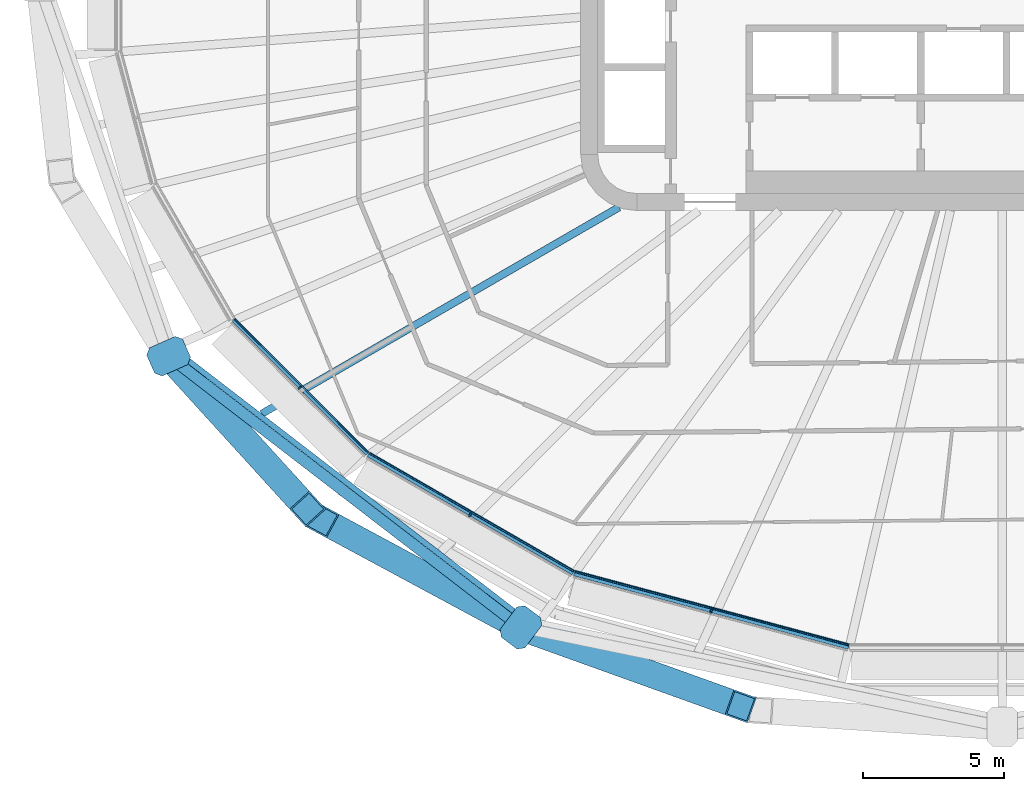
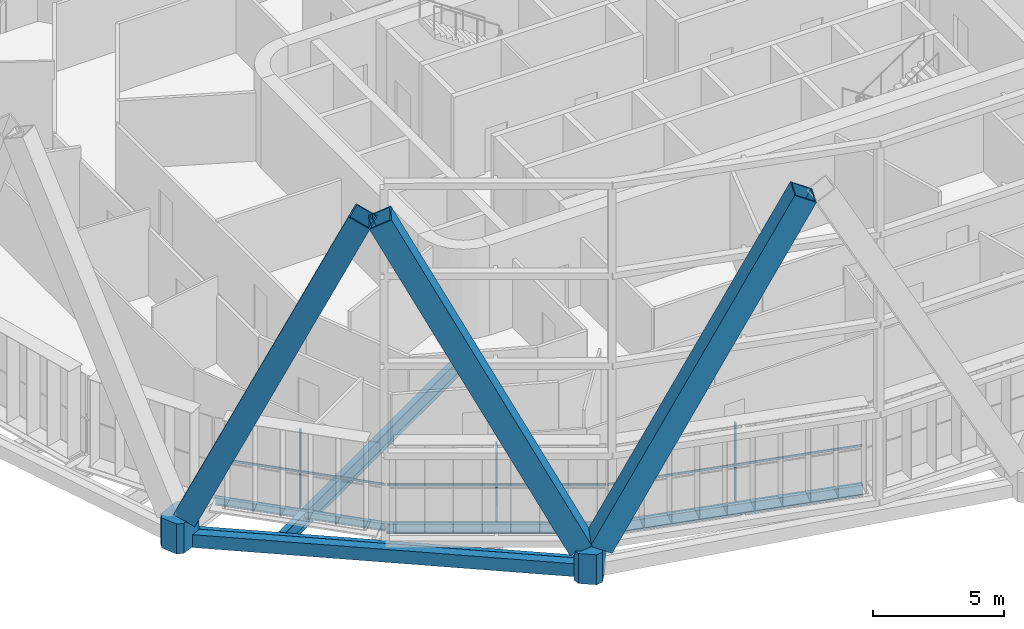
# One storey, part 1 of 25: 11 members, 6 beams, 3 elements without a shape of their own.
"""IFC4 building model written with IfcOpenShell, lengths in metres."""

from ifc_helpers import new_model, si_unit, direction, frame, origin, origin_2d, place, context, subcontext, project, spatial, polyline, rectangle, hollow_rectangle, i_section, outline, extrude, material, layer, layer_set, material_profile, profile_set, type_object, element, aggregate, save


model = new_model("IFC4")

# Units and contexts
model_context = context("Model", 3, precision=1e-05, world=origin(), true_north=direction((0.0, 1.0)))
body_context = subcontext(model_context, "Body", "Model", "MODEL_VIEW")
ifc_project = project(units=[si_unit("LENGTHUNIT", "METRE"), si_unit("AREAUNIT", "SQUARE_METRE"), si_unit("VOLUMEUNIT", "CUBIC_METRE"), si_unit("PLANEANGLEUNIT", "RADIAN"), si_unit("MASSUNIT", "GRAM", prefix="KILO")], contexts=[model_context])

# Site, building, storey
site_placement = place(None, origin())
site = spatial("IfcSite", under=ifc_project, at=site_placement, CompositionType="ELEMENT")
building_placement = place(site_placement, origin())
building = spatial("IfcBuilding", under=site, at=building_placement, Name="Sahrelin Media Tower", CompositionType="ELEMENT")
storey_placement = place(building_placement, frame((0.0, 0.0, 79.800048828125)))
storey = spatial("IfcBuildingStorey", under=building, at=storey_placement, Name="L14", CompositionType="ELEMENT", Elevation=79.800048828125)

# Members
ifc_material_1 = material(Name="Steel S460", Category="steel")
ifc_material_profile_1 = material_profile(ifc_material_1, hollow_rectangle(XDim=0.949951171875, YDim=0.949951171875, WallThickness=0.054931640625, at=origin_2d()), Name="Diagrid diagonal DG2")
ifc_profile_set_1 = profile_set([ifc_material_profile_1], Name="Steel S460")
member_type_1 = type_object("IfcMemberType", Name="Diagrid diagonal DG2", PredefinedType="BRACE", material=ifc_profile_set_1)
member_1_placement = place(storey_placement, frame((-29.448486328125, -13.41845703125, 0.699951171875), z_axis=(0.279512782361, -0.30735879086, 0.90961705029), x_axis=(0.739825407154, 0.672798905267, 0.0)))
element("IfcMember", 1, at=member_1_placement, inside=storey, type_object=member_type_1, Name="Diagrid diagonal D02-14", PredefinedType="BRACE", context=body_context, shape_type="SweptSolid", body=[
    extrude(hollow_rectangle(XDim=0.949951171875, YDim=0.949951171875, WallThickness=0.054931640625, at=origin_2d()), origin(), (0.0, 0.0, 1.0), 16.93017578125),
])
member_2_placement = place(storey_placement, frame((-17.43359375, -22.66650390625, 0.699951171875), z_axis=(-0.392849086991, 0.211661810358, 0.894912773898), x_axis=(-0.474321630663, -0.880351629001, 0.0)))
element("IfcMember", 2, at=member_2_placement, inside=storey, type_object=member_type_1, Name="Diagrid diagonal D02-15", PredefinedType="BRACE", context=body_context, shape_type="SweptSolid", body=[
    extrude(hollow_rectangle(XDim=0.949951171875, YDim=0.949951171875, WallThickness=0.054931640625, at=origin_2d()), origin(), (0.0, 0.0, 1.0), 17.208251953125),
])
member_3_placement = place(storey_placement, frame((-16.786376953125, -22.9541015625, 0.699951171875), z_axis=(0.431548900161, -0.154946779536, 0.888682756827), x_axis=(0.337926169392, 0.941172621808, 0.0)))
element("IfcMember", 3, at=member_3_placement, inside=storey, type_object=member_type_1, Name="Diagrid diagonal D02-16", PredefinedType="BRACE", context=body_context, shape_type="SweptSolid", body=[
    extrude(hollow_rectangle(XDim=0.949951171875, YDim=0.949951171875, WallThickness=0.054931640625, at=origin_2d()), origin(), (0.0, 0.0, 1.0), 17.328857421875),
])
ifc_material_profile_2 = material_profile(ifc_material_1, outline(polyline([(0.5, -0.550048828125), (0.699951171875, -0.35009765625), (0.699951171875, 0.35009765625), (0.5, 0.550048828125), (-0.5, 0.550048828125), (-0.699951171875, 0.35009765625), (-0.699951171875, -0.35009765625), (-0.5, -0.550048828125), (0.5, -0.550048828125)])), Name="Diagrid node block 1400")
ifc_profile_set_2 = profile_set([ifc_material_profile_2], Name="Steel S460")
member_type_2 = type_object("IfcMemberType", Name="Diagrid node block 1400", PredefinedType="USERDEFINED", material=ifc_profile_set_2)
for number, where, z_axis, x_axis, name in (
    (4, (-29.66357421875, -13.181884765625, -0.699951171875), (0.0, 0.0, 1.0), (-0.913832734584, -0.406090794285, 0.0), "Diagrid node N02-07"),
    (5, (-17.126220703125, -22.83203125, -0.699951171875), (0.0, 0.0, 1.0), (-0.600051693363, -0.799961227368, 0.0), "Diagrid node N02-08"),
):
    element("IfcMember", number, at=place(storey_placement, frame(where, z_axis=z_axis, x_axis=x_axis)), inside=storey, type_object=member_type_2, Name=name, ObjectType="NODE", PredefinedType="USERDEFINED", context=body_context, shape_type="SweptSolid", body=[
        extrude(outline(polyline([(0.5, -0.550048828125), (0.699951171875, -0.35009765625), (0.699951171875, 0.35009765625), (0.5, 0.550048828125), (-0.5, 0.550048828125), (-0.699951171875, 0.35009765625), (-0.699951171875, -0.35009765625), (-0.5, -0.550048828125), (0.5, -0.550048828125)])), origin(), (0.0, 0.0, 1.0), 1.39990234375),
    ])

# Beams
ifc_material_profile_3 = material_profile(ifc_material_1, hollow_rectangle(XDim=0.39990234375, YDim=0.60009765625, WallThickness=0.030029296875, at=origin_2d()), Name="Diagrid ring beam RB1")
ifc_profile_set_3 = profile_set([ifc_material_profile_3], Name="Steel S460")
beam_type_1 = type_object("IfcBeamType", Name="Diagrid ring beam RB1", PredefinedType="BEAM", material=ifc_profile_set_3)
beam_1_placement = place(storey_placement, frame((-29.66357421875, -13.181884765625, -0.449951171875), z_axis=(0.792439810802, -0.609950117843, 0.0), x_axis=(0.609950117843, 0.792439810802, 0.0)))
element("IfcBeam", 6, at=beam_1_placement, inside=storey, type_object=beam_type_1, Name="Diagrid ring beam RB02-07", PredefinedType="BEAM", context=body_context, shape_type="SweptSolid", body=[
    extrude(hollow_rectangle(XDim=0.39990234375, YDim=0.60009765625, WallThickness=0.030029296875, at=origin_2d()), origin(), (0.0, 0.0, 1.0), 15.8212890625),
])
ifc_material_2 = material(Name="Steel S355", Category="steel")
ifc_material_profile_4 = material_profile(ifc_material_2, i_section(OverallWidth=0.17138671875, OverallDepth=0.35498046875, WebThickness=0.00732421875, FlangeThickness=0.011474609375, FilletRadius=0.01025390625, at=origin_2d()), Name="UB 356x171x51")
ifc_profile_set_4 = profile_set([ifc_material_profile_4], Name="Steel S355")
beam_type_2 = type_object("IfcBeamType", Name="Edge beam EB3", PredefinedType="BEAM", material=ifc_profile_set_4)
beam_2_placement = place(storey_placement, frame((-22.576904296875, -16.6513671875, -0.32763671875), z_axis=(-0.707106781187, 0.707106781187, 0.0), x_axis=(-0.707106781187, -0.707106781187, 0.0)))
element("IfcBeam", 7, at=beam_2_placement, inside=storey, type_object=beam_type_2, Name="Edge beam L14-10", PredefinedType="BEAM", context=body_context, shape_type="SweptSolid", body=[
    extrude(i_section(OverallWidth=0.17138671875, OverallDepth=0.35498046875, WebThickness=0.00732421875, FlangeThickness=0.011474609375, FilletRadius=0.01025390625, at=origin_2d()), origin(), (0.0, 0.0, 1.0), 6.743408203125),
])
ifc_material_profile_5 = material_profile(ifc_material_2, i_section(OverallWidth=0.1904296875, OverallDepth=0.45703125, WebThickness=0.009033203125, FlangeThickness=0.014404296875, FilletRadius=0.01025390625, at=origin_2d()), Name="UB 457x191x74")
ifc_profile_set_5 = profile_set([ifc_material_profile_5], Name="Steel S355")
beam_type_3 = type_object("IfcBeamType", Name="Edge beam EB5", PredefinedType="BEAM", material=ifc_profile_set_5)
beam_3_placement = place(storey_placement, frame((-15.257568359375, -20.881591796875, -0.378662109375), z_axis=(-0.866028760111, 0.499994186627, 0.0), x_axis=(-0.499994186627, -0.866028760111, 0.0)))
element("IfcBeam", 8, at=beam_3_placement, inside=storey, type_object=beam_type_3, Name="Edge beam L14-09", PredefinedType="BEAM", context=body_context, shape_type="SweptSolid", body=[
    extrude(i_section(OverallWidth=0.1904296875, OverallDepth=0.45703125, WebThickness=0.009033203125, FlangeThickness=0.014404296875, FilletRadius=0.01025390625, at=origin_2d()), origin(), (0.0, 0.0, 1.0), 8.42529296875),
])
ifc_material_profile_6 = material_profile(ifc_material_2, i_section(OverallWidth=0.208740234375, OverallDepth=0.5283203125, WebThickness=0.009521484375, FlangeThickness=0.01318359375, FilletRadius=0.0126953125, at=origin_2d()), Name="UB 533x210x82")
ifc_profile_set_6 = profile_set([ifc_material_profile_6], Name="Steel S355")
beam_type_4 = type_object("IfcBeamType", Name="Edge beam EB6", PredefinedType="BEAM", material=ifc_profile_set_6)
beam_4_placement = place(storey_placement, frame((-5.46142578125, -23.51025390625, -0.414306640625), z_axis=(-0.965927364405, 0.258813304707, 0.0), x_axis=(-0.258813304707, -0.965927364405, 0.0)))
element("IfcBeam", 9, at=beam_4_placement, inside=storey, type_object=beam_type_4, Name="Edge beam L14-08", PredefinedType="BEAM", context=body_context, shape_type="SweptSolid", body=[
    extrude(i_section(OverallWidth=0.208740234375, OverallDepth=0.5283203125, WebThickness=0.009521484375, FlangeThickness=0.01318359375, FilletRadius=0.0126953125, at=origin_2d()), origin(), (0.0, 0.0, 1.0), 10.1142578125),
])

# Curtain wall, member
ifc_material_3 = material(Name="Champagne anodised aluminium 6063-T6", Category="aluminium")
ifc_layer = layer(ifc_material_3, 0.14990234375)
ifc_layer_set = layer_set([ifc_layer], Name="Tower ribbon curtain wall")
curtain_wall_type = type_object("IfcCurtainWallType", Name="Tower ribbon curtain wall", PredefinedType="NOTDEFINED", material=ifc_layer_set)
curtain_wall_1_placement = place(storey_placement, frame((-25.067138671875, -14.373291015625, 0.0), z_axis=(0.0, 0.0, 1.0), x_axis=(1.0, 0.0, 0.0)))
curtain_wall_1 = element("IfcCurtainWall", 10, at=curtain_wall_1_placement, inside=storey, type_object=curtain_wall_type, Name="L14:CW:L14-15", PredefinedType="NOTDEFINED")
ifc_material_profile_7 = material_profile(ifc_material_3, rectangle(XDim=0.06005859375, YDim=0.14990234375, at=origin_2d()), Name="Mullion 60x150")
ifc_profile_set_7 = profile_set([ifc_material_profile_7], Name="Champagne anodised aluminium 6063-T6")
member_type_3 = type_object("IfcMemberType", Name="Mullion 60x150 CW1", PredefinedType="MULLION", material=ifc_profile_set_7)
member_4_placement = place(storey_placement, frame((-25.0, -14.30615234375, 0.0), z_axis=(0.0, 0.0, 1.0), x_axis=(0.707106781187, -0.707106781187, 0.0)))
member_4 = element("IfcMember", 11, at=member_4_placement, type_object=member_type_3, Name="L14:CWM:L14-15", PredefinedType="MULLION", context=body_context, shape_type="SweptSolid", body=[
    extrude(rectangle(XDim=0.06005859375, YDim=0.14990234375, at=origin_2d()), origin(), (0.0, 0.0, 1.0), 3.6484375),
])

curtain_wall_2_placement = place(storey_placement, frame((-18.980712890625, -18.905029296875, 0.0), z_axis=(0.0, 0.0, 1.0), x_axis=(1.0, 0.0, 0.0)))
curtain_wall_2 = element("IfcCurtainWall", 12, at=curtain_wall_2_placement, inside=storey, type_object=curtain_wall_type, Name="L14:CW:L14-16", PredefinedType="NOTDEFINED")
member_5_placement = place(storey_placement, frame((-18.933349609375, -18.822998046875, 0.0), z_axis=(0.0, 0.0, 1.0), x_axis=(0.866027149108, -0.499996976998, 0.0)))
member_5 = element("IfcMember", 13, at=member_5_placement, type_object=member_type_3, Name="L14:CWM:L14-16", PredefinedType="MULLION", context=body_context, shape_type="SweptSolid", body=[
    extrude(rectangle(XDim=0.06005859375, YDim=0.14990234375, at=origin_2d()), origin(), (0.0, 0.0, 1.0), 3.6484375),
])

curtain_wall_3_placement = place(storey_placement, frame((-10.385009765625, -22.346435546875, 0.0), z_axis=(0.0, 0.0, 1.0), x_axis=(1.0, 0.0, 0.0)))
curtain_wall_3 = element("IfcCurtainWall", 14, at=curtain_wall_3_placement, inside=storey, type_object=curtain_wall_type, Name="L14:CW:L14-17", PredefinedType="NOTDEFINED")
member_6_placement = place(storey_placement, frame((-10.360595703125, -22.254638671875, 0.0), z_axis=(0.0, 0.0, 1.0), x_axis=(0.965924922834, -0.258822416818, 0.0)))
member_6 = element("IfcMember", 15, at=member_6_placement, type_object=member_type_3, Name="L14:CWM:L14-17", PredefinedType="MULLION", context=body_context, shape_type="SweptSolid", body=[
    extrude(rectangle(XDim=0.06005859375, YDim=0.14990234375, at=origin_2d()), origin(), (0.0, 0.0, 1.0), 3.6484375),
])

# Beams
ifc_material_profile_8 = material_profile(ifc_material_2, i_section(OverallWidth=0.26513671875, OverallDepth=0.75390625, WebThickness=0.0126953125, FlangeThickness=0.017578125, FilletRadius=0.0166015625, at=origin_2d()), Name="UB 762x267x147")
ifc_profile_set_8 = profile_set([ifc_material_profile_8], Name="Steel S355")
beam_type_5 = type_object("IfcBeamType", Name="Radial secondary beam SB9", PredefinedType="BEAM", material=ifc_profile_set_8)
beam_5_placement = place(storey_placement, frame((-13.63720703125, -7.88232421875, -0.527099609375), z_axis=(-0.865780409696, -0.500424102323, 0.0), x_axis=(0.500424102323, -0.865780409696, 0.0)))
element("IfcBeam", 16, at=beam_5_placement, inside=storey, type_object=beam_type_5, Name="Secondary beam L14-15", PredefinedType="BEAM", context=body_context, shape_type="SweptSolid", body=[
    extrude(i_section(OverallWidth=0.26513671875, OverallDepth=0.75390625, WebThickness=0.0126953125, FlangeThickness=0.017578125, FilletRadius=0.0166015625, at=origin_2d()), origin(), (0.0, 0.0, 1.0), 14.686279296875),
])
ifc_material_profile_9 = material_profile(ifc_material_2, i_section(OverallWidth=0.1904296875, OverallDepth=0.45703125, WebThickness=0.009033203125, FlangeThickness=0.014404296875, FilletRadius=0.01025390625, at=origin_2d()), Name="UB 457x191x74")
ifc_profile_set_9 = profile_set([ifc_material_profile_9], Name="Steel S355")
beam_type_6 = type_object("IfcBeamType", Name="Tie chord TC5", PredefinedType="BEAM", material=ifc_profile_set_9)
beam_6_placement = place(storey_placement, frame((-16.998046875, -22.552001953125, -0.378662109375), z_axis=(-0.792438521011, 0.60995179352, 0.0), x_axis=(-0.60995179352, -0.792438521011, 0.0)))
element("IfcBeam", 17, at=beam_6_placement, inside=storey, type_object=beam_type_6, Name="Tie chord L14-05", PredefinedType="BEAM", context=body_context, shape_type="SweptSolid", body=[
    extrude(i_section(OverallWidth=0.1904296875, OverallDepth=0.45703125, WebThickness=0.009033203125, FlangeThickness=0.014404296875, FilletRadius=0.01025390625, at=origin_2d()), origin(), (0.0, 0.0, 1.0), 15.662353515625),
])

# Member
ifc_material_profile_10 = material_profile(ifc_material_3, rectangle(XDim=0.050048828125, YDim=0.10009765625, at=origin_2d()), Name="Transom 50x100")
ifc_profile_set_10 = profile_set([ifc_material_profile_10], Name="Champagne anodised aluminium 6063-T6")
member_type_4 = type_object("IfcMemberType", Name="Transom 50x100 CW1", PredefinedType="USERDEFINED", material=ifc_profile_set_10)
member_7_placement = place(storey_placement, frame((-27.302490234375, -11.8623046875, 1.599853515625), z_axis=(0.707106781187, -0.707106781187, 0.0), x_axis=(0.707106781187, 0.707106781187, 0.0)))
member_7 = element("IfcMember", 18, at=member_7_placement, type_object=member_type_4, Name="L14:CWT:L14-15", ObjectType="TRANSOM", PredefinedType="USERDEFINED", context=body_context, shape_type="SweptSolid", body=[
    extrude(rectangle(XDim=0.050048828125, YDim=0.10009765625, at=origin_2d()), origin(), (0.0, 0.0, 1.0), 6.7119140625),
])

aggregate(curtain_wall_1, [member_4, member_7])

member_8_placement = place(storey_placement, frame((-22.51806640625, -16.6376953125, 1.599853515625), z_axis=(0.866020419704, -0.500008632582, 0.0), x_axis=(0.500008632582, 0.866020419704, 0.0)))
member_8 = element("IfcMember", 19, at=member_8_placement, type_object=member_type_4, Name="L14:CWT:L14-16", ObjectType="TRANSOM", PredefinedType="USERDEFINED", context=body_context, shape_type="SweptSolid", body=[
    extrude(rectangle(XDim=0.050048828125, YDim=0.10009765625, at=origin_2d()), origin(), (0.0, 0.0, 1.0), 8.393798828125),
])

aggregate(curtain_wall_2, [member_5, member_8])

member_9_placement = place(storey_placement, frame((-15.2041015625, -20.853271484375, 1.599853515625), z_axis=(0.965924380906, -0.258824439285, 0.0), x_axis=(0.258824439285, 0.965924380906, 0.0)))
member_9 = element("IfcMember", 20, at=member_9_placement, type_object=member_type_4, Name="L14:CWT:L14-17", ObjectType="TRANSOM", PredefinedType="USERDEFINED", context=body_context, shape_type="SweptSolid", body=[
    extrude(rectangle(XDim=0.050048828125, YDim=0.10009765625, at=origin_2d()), origin(), (0.0, 0.0, 1.0), 10.08251953125),
])

aggregate(curtain_wall_3, [member_6, member_9])

save(model, "model.ifc")
